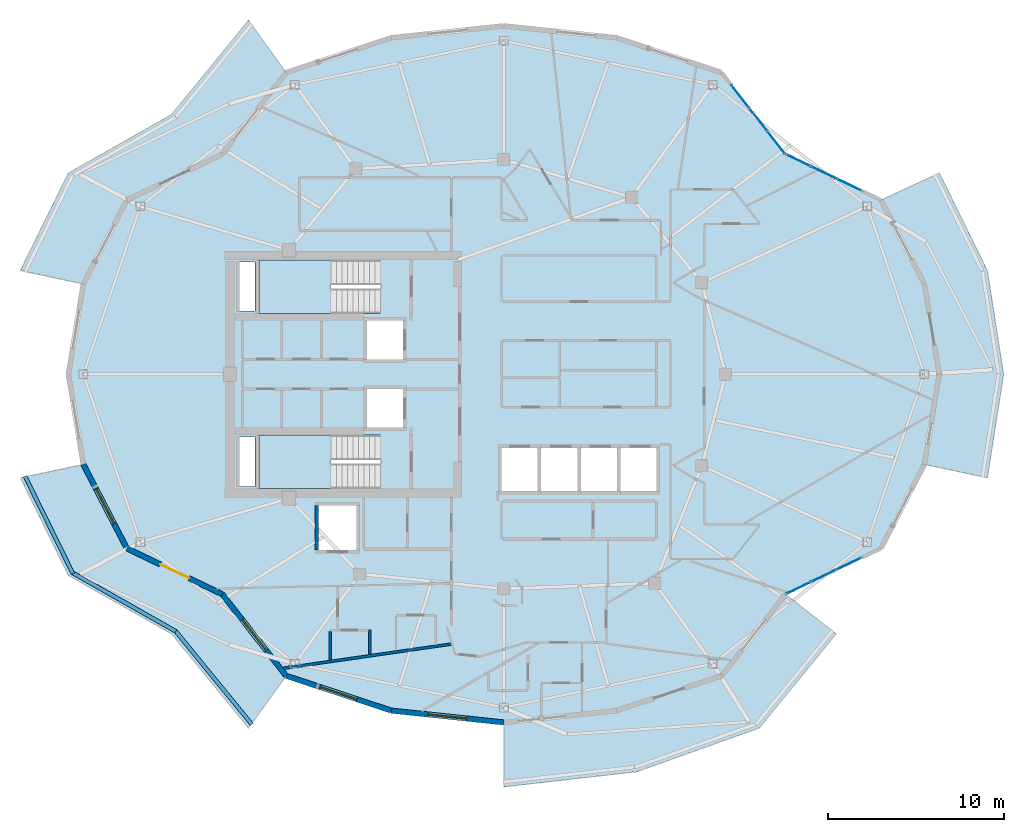
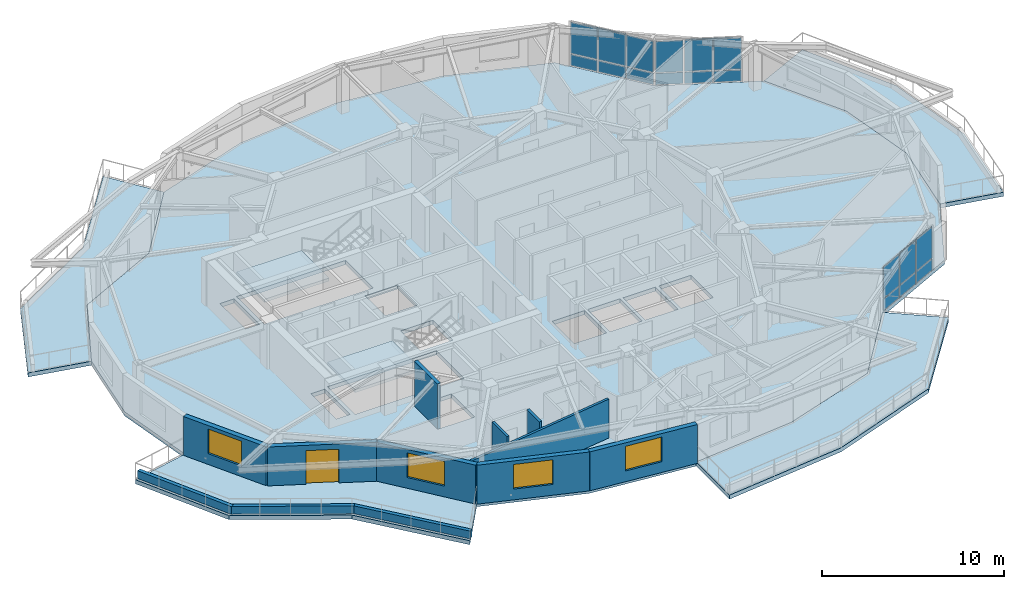
# One storey, part 5 of 14: 21 plates, 12 walls, 7 slabs, 4 windows, 1 door, 5 openings, 5 elements without a shape of their own.
"""IFC4 building model written with IfcOpenShell, lengths in metres."""

from ifc_helpers import new_model, si_unit, direction, frame, frame_2d, origin, origin_2d, place, context, subcontext, project, spatial, polyline, rectangle, outline, extrude, material, layer, layer_set, type_object, element, fill, aggregate, save


model = new_model("IFC4")

# Units and contexts
model_context = context("Model", 3, precision=1e-05, world=origin(), true_north=direction((0.0, 1.0)))
body_context = subcontext(model_context, "Body", "Model", "MODEL_VIEW")
ifc_project = project(units=[si_unit("LENGTHUNIT", "METRE"), si_unit("AREAUNIT", "SQUARE_METRE"), si_unit("VOLUMEUNIT", "CUBIC_METRE"), si_unit("PLANEANGLEUNIT", "RADIAN"), si_unit("MASSUNIT", "GRAM", prefix="KILO")], contexts=[model_context])

# Site, building, storey
site_placement = place(None, origin())
site = spatial("IfcSite", under=ifc_project, at=site_placement, CompositionType="ELEMENT")
building_placement = place(site_placement, origin())
building = spatial("IfcBuilding", under=site, at=building_placement, Name="Kolvaren Gate Tower and Convention Centre", CompositionType="ELEMENT")
storey_placement = place(building_placement, frame((0.0, 0.0, 232.699951171875)))
storey = spatial("IfcBuildingStorey", under=building, at=storey_placement, Name="L62", CompositionType="ELEMENT", Elevation=232.699951171875)

# Plates
ifc_material_1 = material(Name="Perforated Anodized Bronze Aluminium Sheet 6 mm", Category="aluminium")
ifc_layer_1 = layer(ifc_material_1, 0.011962890625)
ifc_layer_set_1 = layer_set([ifc_layer_1], Name="Perforated Anodized Bronze Aluminium Sheet 6 mm")
plate_type_1 = type_object("IfcPlateType", Name="ARCH-PL-SCREEN-PERF", PredefinedType="SHEET", material=ifc_layer_set_1)
for number, where, z_axis, x_axis, name in (
    (1, (48.845703125, 38.20361328125, 2.18994140625), (0.0, 0.0, 1.0), (0.90135914581, -0.433072384555, 0.0), "Tower L62 Perforated Bronze Solar Screen SS-02"),
    (2, (44.316162109375, 41.827392578125, 2.18994140625), (0.0, 0.0, 1.0), (0.616434119112, -0.787406487651, 0.0), "Tower L62 Perforated Bronze Solar Screen SS-03"),
    (3, (48.845703125, 15.79638671875, 2.18994140625), (0.0, 0.0, 1.0), (0.90135914581, 0.433072384555, 0.0), "Tower L62 Perforated Bronze Solar Screen SS-21"),
):
    element("IfcPlate", number, at=place(storey_placement, frame(where, z_axis=z_axis, x_axis=x_axis)), inside=storey, type_object=plate_type_1, Name=name, PredefinedType="SHEET", context=body_context, shape_type="SweptSolid", body=[
        extrude(rectangle(XDim=2.60009765625, YDim=0.011962890625, at=origin_2d()), origin(), (0.0, 0.0, 1.0), 0.840087890625),
    ])

# Curtain wall, plates
ifc_material_2 = material(Name="Anodized Architectural Aluminium Alloy 6063-T6", Category="aluminium")
ifc_layer_2 = layer(ifc_material_2, 0.159912109375)
ifc_layer_set_2 = layer_set([ifc_layer_2], Name="Anodized Architectural Aluminium Alloy 6063-T6")
curtain_wall_type = type_object("IfcCurtainWallType", Name="CW-RES-UNIT", PredefinedType="NOTDEFINED", material=ifc_layer_set_2)
curtain_wall_1_placement = place(storey_placement, origin())
curtain_wall_1 = element("IfcCurtainWall", 4, at=curtain_wall_1_placement, inside=storey, type_object=curtain_wall_type, Name="Tower L62 Unitised Curtain Wall CW-RES-UNIT Bay 02", PredefinedType="NOTDEFINED")
ifc_material_3 = material(Name="Low-E Triple Insulated Glazing Unit 44 mm", Category="glass")
ifc_layer_3 = layer(ifc_material_3, 0.0439453125)
ifc_layer_set_3 = layer_set([ifc_layer_3], Name="Low-E Triple Insulated Glazing Unit 44 mm")
plate_type_2 = type_object("IfcPlateType", Name="CW-PL-IGU-44", PredefinedType="CURTAIN_PANEL", material=ifc_layer_set_3)
plate_1_placement = place(storey_placement, frame((46.8740234375, 39.15087890625, 0.882568359375), z_axis=(0.0, 0.0, 1.0), x_axis=(0.90136304725, -0.433064264345, 0.0)))
plate_1 = element("IfcPlate", 5, at=plate_1_placement, type_object=plate_type_2, Name="CW-04 panel 1.2", PredefinedType="CURTAIN_PANEL", context=body_context, shape_type="SweptSolid", body=[
    extrude(rectangle(XDim=1.515380859375, YDim=0.0439453125, at=origin_2d()), origin(), (0.0, 0.0, 1.0), 2.08251953125),
])
plate_2_placement = place(storey_placement, frame((48.313232421875, 38.45947265625, 0.882568359375), z_axis=(0.0, 0.0, 1.0), x_axis=(0.90136304725, -0.433064264345, 0.0)))
plate_2 = element("IfcPlate", 6, at=plate_2_placement, type_object=plate_type_2, Name="CW-04 panel 2.2", PredefinedType="CURTAIN_PANEL", context=body_context, shape_type="SweptSolid", body=[
    extrude(rectangle(XDim=1.548095703125, YDim=0.0439453125, at=origin_2d()), origin(), (0.0, 0.0, 1.0), 2.08251953125),
])
plate_3_placement = place(storey_placement, frame((49.752685546875, 37.76806640625, 0.882568359375), z_axis=(0.0, 0.0, 1.0), x_axis=(0.90136304725, -0.433064264345, 0.0)))
plate_3 = element("IfcPlate", 7, at=plate_3_placement, type_object=plate_type_2, Name="CW-04 panel 3.2", PredefinedType="CURTAIN_PANEL", context=body_context, shape_type="SweptSolid", body=[
    extrude(rectangle(XDim=1.515380859375, YDim=0.0439453125, at=origin_2d()), origin(), (0.0, 0.0, 1.0), 2.08251953125),
])

curtain_wall_2_placement = place(storey_placement, origin())
curtain_wall_2 = element("IfcCurtainWall", 8, at=curtain_wall_2_placement, inside=storey, type_object=curtain_wall_type, Name="Tower L62 Unitised Curtain Wall CW-RES-UNIT Bay 03", PredefinedType="NOTDEFINED")
plate_4_placement = place(storey_placement, frame((43.5654296875, 42.786376953125, 0.882568359375), z_axis=(0.0, 0.0, 1.0), x_axis=(0.616436709784, -0.787404459493, 0.0)))
plate_4 = element("IfcPlate", 9, at=plate_4_placement, type_object=plate_type_2, Name="CW-04 panel 1.2", PredefinedType="CURTAIN_PANEL", context=body_context, shape_type="SweptSolid", body=[
    extrude(rectangle(XDim=1.57470703125, YDim=0.0439453125, at=origin_2d()), origin(), (0.0, 0.0, 1.0), 2.08251953125),
])
plate_5_placement = place(storey_placement, frame((44.586181640625, 41.482421875, 0.882568359375), z_axis=(0.0, 0.0, 1.0), x_axis=(0.616436709784, -0.787404459493, 0.0)))
plate_5 = element("IfcPlate", 10, at=plate_5_placement, type_object=plate_type_2, Name="CW-04 panel 2.2", PredefinedType="CURTAIN_PANEL", context=body_context, shape_type="SweptSolid", body=[
    extrude(rectangle(XDim=1.607177734375, YDim=0.0439453125, at=origin_2d()), origin(), (0.0, 0.0, 1.0), 2.08251953125),
])
plate_6_placement = place(storey_placement, frame((45.607177734375, 40.178466796875, 0.882568359375), z_axis=(0.0, 0.0, 1.0), x_axis=(0.616436709784, -0.787404459493, 0.0)))
plate_6 = element("IfcPlate", 11, at=plate_6_placement, type_object=plate_type_2, Name="CW-04 panel 3.2", PredefinedType="CURTAIN_PANEL", context=body_context, shape_type="SweptSolid", body=[
    extrude(rectangle(XDim=1.57470703125, YDim=0.0439453125, at=origin_2d()), origin(), (0.0, 0.0, 1.0), 2.08251953125),
])

curtain_wall_3_placement = place(storey_placement, origin())
curtain_wall_3 = element("IfcCurtainWall", 12, at=curtain_wall_3_placement, inside=storey, type_object=curtain_wall_type, Name="Tower L62 Unitised Curtain Wall CW-RES-UNIT Bay 21", PredefinedType="NOTDEFINED")
plate_7_placement = place(storey_placement, frame((46.8740234375, 14.84912109375, 0.882568359375), z_axis=(0.0, 0.0, 1.0), x_axis=(0.90136304725, 0.433064264345, 0.0)))
plate_7 = element("IfcPlate", 13, at=plate_7_placement, type_object=plate_type_2, Name="CW-04 panel 1.2", PredefinedType="CURTAIN_PANEL", context=body_context, shape_type="SweptSolid", body=[
    extrude(rectangle(XDim=1.515380859375, YDim=0.0439453125, at=origin_2d()), origin(), (0.0, 0.0, 1.0), 2.08251953125),
])
plate_8_placement = place(storey_placement, frame((48.313232421875, 15.54052734375, 0.882568359375), z_axis=(0.0, 0.0, 1.0), x_axis=(0.90136304725, 0.433064264345, 0.0)))
plate_8 = element("IfcPlate", 14, at=plate_8_placement, type_object=plate_type_2, Name="CW-04 panel 2.2", PredefinedType="CURTAIN_PANEL", context=body_context, shape_type="SweptSolid", body=[
    extrude(rectangle(XDim=1.548095703125, YDim=0.0439453125, at=origin_2d()), origin(), (0.0, 0.0, 1.0), 2.08251953125),
])
plate_9_placement = place(storey_placement, frame((49.752685546875, 16.23193359375, 0.882568359375), z_axis=(0.0, 0.0, 1.0), x_axis=(0.90136304725, 0.433064264345, 0.0)))
plate_9 = element("IfcPlate", 15, at=plate_9_placement, type_object=plate_type_2, Name="CW-04 panel 3.2", PredefinedType="CURTAIN_PANEL", context=body_context, shape_type="SweptSolid", body=[
    extrude(rectangle(XDim=1.515380859375, YDim=0.0439453125, at=origin_2d()), origin(), (0.0, 0.0, 1.0), 2.08251953125),
])

# Plate
ifc_material_4 = material(Name="Solar-Control Laminated Curtain Glazing 36 mm", Category="glass")
ifc_layer_4 = layer(ifc_material_4, 0.035888671875)
ifc_layer_set_4 = layer_set([ifc_layer_4], Name="Solar-Control Laminated Curtain Glazing 36 mm")
plate_type_3 = type_object("IfcPlateType", Name="CW-PL-SPAN-36", PredefinedType="CURTAIN_PANEL", material=ifc_layer_set_4)
plate_10_placement = place(storey_placement, frame((46.8740234375, 39.15087890625, 0.065185546875), z_axis=(0.0, 0.0, 1.0), x_axis=(0.90136304725, -0.433064264345, 0.0)))
plate_10 = element("IfcPlate", 16, at=plate_10_placement, type_object=plate_type_3, Name="CW-04 panel 1.1", PredefinedType="CURTAIN_PANEL", context=body_context, shape_type="SweptSolid", body=[
    extrude(rectangle(XDim=1.515380859375, YDim=0.035888671875, at=origin_2d()), origin(), (0.0, 0.0, 1.0), 0.75244140625),
])

plate_11_placement = place(storey_placement, frame((48.313232421875, 38.45947265625, 0.065185546875), z_axis=(0.0, 0.0, 1.0), x_axis=(0.90136304725, -0.433064264345, 0.0)))
plate_11 = element("IfcPlate", 17, at=plate_11_placement, type_object=plate_type_3, Name="CW-04 panel 2.1", PredefinedType="CURTAIN_PANEL", context=body_context, shape_type="SweptSolid", body=[
    extrude(rectangle(XDim=1.548095703125, YDim=0.035888671875, at=origin_2d()), origin(), (0.0, 0.0, 1.0), 0.75244140625),
])

plate_12_placement = place(storey_placement, frame((49.752685546875, 37.76806640625, 0.065185546875), z_axis=(0.0, 0.0, 1.0), x_axis=(0.90136304725, -0.433064264345, 0.0)))
plate_12 = element("IfcPlate", 18, at=plate_12_placement, type_object=plate_type_3, Name="CW-04 panel 3.1", PredefinedType="CURTAIN_PANEL", context=body_context, shape_type="SweptSolid", body=[
    extrude(rectangle(XDim=1.515380859375, YDim=0.035888671875, at=origin_2d()), origin(), (0.0, 0.0, 1.0), 0.75244140625),
])

aggregate(curtain_wall_1, [plate_10, plate_1, plate_11, plate_2, plate_12, plate_3])

plate_13_placement = place(storey_placement, frame((43.5654296875, 42.786376953125, 0.065185546875), z_axis=(0.0, 0.0, 1.0), x_axis=(0.616436709784, -0.787404459493, 0.0)))
plate_13 = element("IfcPlate", 19, at=plate_13_placement, type_object=plate_type_3, Name="CW-04 panel 1.1", PredefinedType="CURTAIN_PANEL", context=body_context, shape_type="SweptSolid", body=[
    extrude(rectangle(XDim=1.57470703125, YDim=0.035888671875, at=origin_2d()), origin(), (0.0, 0.0, 1.0), 0.75244140625),
])

plate_14_placement = place(storey_placement, frame((44.586181640625, 41.482421875, 0.065185546875), z_axis=(0.0, 0.0, 1.0), x_axis=(0.616436709784, -0.787404459493, 0.0)))
plate_14 = element("IfcPlate", 20, at=plate_14_placement, type_object=plate_type_3, Name="CW-04 panel 2.1", PredefinedType="CURTAIN_PANEL", context=body_context, shape_type="SweptSolid", body=[
    extrude(rectangle(XDim=1.607177734375, YDim=0.035888671875, at=origin_2d()), origin(), (0.0, 0.0, 1.0), 0.75244140625),
])

plate_15_placement = place(storey_placement, frame((45.607177734375, 40.178466796875, 0.065185546875), z_axis=(0.0, 0.0, 1.0), x_axis=(0.616436709784, -0.787404459493, 0.0)))
plate_15 = element("IfcPlate", 21, at=plate_15_placement, type_object=plate_type_3, Name="CW-04 panel 3.1", PredefinedType="CURTAIN_PANEL", context=body_context, shape_type="SweptSolid", body=[
    extrude(rectangle(XDim=1.57470703125, YDim=0.035888671875, at=origin_2d()), origin(), (0.0, 0.0, 1.0), 0.75244140625),
])

aggregate(curtain_wall_2, [plate_13, plate_4, plate_14, plate_5, plate_15, plate_6])

plate_16_placement = place(storey_placement, frame((46.8740234375, 14.84912109375, 0.065185546875), z_axis=(0.0, 0.0, 1.0), x_axis=(0.90136304725, 0.433064264345, 0.0)))
plate_16 = element("IfcPlate", 22, at=plate_16_placement, type_object=plate_type_3, Name="CW-04 panel 1.1", PredefinedType="CURTAIN_PANEL", context=body_context, shape_type="SweptSolid", body=[
    extrude(rectangle(XDim=1.515380859375, YDim=0.035888671875, at=origin_2d()), origin(), (0.0, 0.0, 1.0), 0.75244140625),
])

plate_17_placement = place(storey_placement, frame((48.313232421875, 15.54052734375, 0.065185546875), z_axis=(0.0, 0.0, 1.0), x_axis=(0.90136304725, 0.433064264345, 0.0)))
plate_17 = element("IfcPlate", 23, at=plate_17_placement, type_object=plate_type_3, Name="CW-04 panel 2.1", PredefinedType="CURTAIN_PANEL", context=body_context, shape_type="SweptSolid", body=[
    extrude(rectangle(XDim=1.548095703125, YDim=0.035888671875, at=origin_2d()), origin(), (0.0, 0.0, 1.0), 0.75244140625),
])

plate_18_placement = place(storey_placement, frame((49.752685546875, 16.23193359375, 0.065185546875), z_axis=(0.0, 0.0, 1.0), x_axis=(0.90136304725, 0.433064264345, 0.0)))
plate_18 = element("IfcPlate", 24, at=plate_18_placement, type_object=plate_type_3, Name="CW-04 panel 3.1", PredefinedType="CURTAIN_PANEL", context=body_context, shape_type="SweptSolid", body=[
    extrude(rectangle(XDim=1.515380859375, YDim=0.035888671875, at=origin_2d()), origin(), (0.0, 0.0, 1.0), 0.75244140625),
])

aggregate(curtain_wall_3, [plate_16, plate_7, plate_17, plate_8, plate_18, plate_9])

# Slabs
ifc_material_5 = material(Name="Concrete C50/60", Category="concrete")
ifc_layer_5 = layer(ifc_material_5, 0.27001953125)
ifc_layer_set_5 = layer_set([ifc_layer_5], Name="Concrete C50/60")
slab_type_1 = type_object("IfcSlabType", Name="STR-SL-BALC-270", PredefinedType="FLOOR", material=ifc_layer_set_5)
slab_1_placement = place(storey_placement, frame((0.0, 0.0, -0.27001953125)))
element("IfcSlab", 25, at=slab_1_placement, inside=storey, type_object=slab_type_1, Name="Tower L62 Planted Balcony Terrace Slab 1 (West)", PredefinedType="FLOOR", context=body_context, shape_type="SweptSolid", body=[
    extrude(outline(polyline([(17.75, 44.147216796875), (14.117431640625, 39.50732421875), (8.69091796875, 36.89990234375), (6.21826171875, 32.12451171875), (2.6396484375, 32.8916015625), (5.3681640625, 38.434814453125), (11.2333984375, 41.7607421875), (15.608154296875, 47.114990234375), (17.75, 44.147216796875)])), origin(), (0.0, 0.0, 1.0), 0.27001953125),
])
slab_2_placement = place(storey_placement, frame((0.0, 0.0, -0.27001953125)))
element("IfcSlab", 26, at=slab_2_placement, inside=storey, type_object=slab_type_1, Name="Tower L62 Planted Balcony Terrace Slab 2 (West)", PredefinedType="FLOOR", context=body_context, shape_type="SweptSolid", body=[
    extrude(outline(polyline([(6.21826171875, 21.87548828125), (8.69091796875, 17.10009765625), (14.117431640625, 14.49267578125), (17.75, 9.852783203125), (15.608154296875, 6.885009765625), (11.2333984375, 12.2392578125), (5.3681640625, 15.565185546875), (2.6396484375, 21.1083984375), (6.21826171875, 21.87548828125)])), origin(), (0.0, 0.0, 1.0), 0.27001953125),
])
slab_3_placement = place(storey_placement, frame((0.0, 0.0, -0.27001953125)))
element("IfcSlab", 27, at=slab_3_placement, inside=storey, type_object=slab_type_1, Name="Tower L62 Planted Balcony Terrace Slab 3 (South)", PredefinedType="FLOOR", context=body_context, shape_type="SweptSolid", body=[
    extrude(outline(polyline([(30.125, 7.199951171875), (36.53076171875, 7.874755859375), (42.5, 9.852783203125), (46.132568359375, 14.49267578125), (49.0166015625, 12.2392578125), (44.641845703125, 6.885009765625), (37.693115234375, 4.404296875), (30.125, 3.5400390625), (30.125, 7.199951171875)])), origin(), (0.0, 0.0, 1.0), 0.27001953125),
])
slab_4_placement = place(storey_placement, frame((0.0, 0.0, -0.27001953125)))
element("IfcSlab", 28, at=slab_4_placement, inside=storey, type_object=slab_type_1, Name="Tower L62 Planted Balcony Terrace Slab 4 (East)", PredefinedType="FLOOR", context=body_context, shape_type="SweptSolid", body=[
    extrude(outline(polyline([(54.03173828125, 21.87548828125), (54.875, 27.0), (54.03173828125, 32.12451171875), (51.55908203125, 36.89990234375), (54.8818359375, 38.434814453125), (57.6103515625, 32.8916015625), (58.534912109375, 27.0), (57.6103515625, 21.1083984375), (54.03173828125, 21.87548828125)])), origin(), (0.0, 0.0, 1.0), 0.27001953125),
])
ifc_material_6 = material(Name="Concrete C40/50", Category="concrete")
ifc_layer_6 = layer(ifc_material_6, 0.27001953125)
ifc_layer_set_6 = layer_set([ifc_layer_6], Name="Concrete C40/50")
slab_type_2 = type_object("IfcSlabType", Name="STR-SL-FLR-270", PredefinedType="FLOOR", material=ifc_layer_set_6)
slab_5_placement = place(storey_placement, frame((0.0, 0.0, -0.27001953125)))
element("IfcSlab", 29, at=slab_5_placement, inside=storey, type_object=slab_type_2, Name="Tower L62 Structural Floor Slab", PredefinedType="FLOOR", context=body_context, shape_type="SweptSolid", body=[
    extrude(outline(polyline([(54.875, 27.0), (54.03173828125, 32.12451171875), (51.55908203125, 36.89990234375), (46.132568359375, 39.50732421875), (42.5, 44.147216796875), (36.53076171875, 46.125244140625), (30.125, 46.800048828125), (23.71923828125, 46.125244140625), (17.75, 44.147216796875), (14.117431640625, 39.50732421875), (8.69091796875, 36.89990234375), (6.21826171875, 32.12451171875), (5.375, 27.0), (6.21826171875, 21.87548828125), (8.69091796875, 17.10009765625), (14.117431640625, 14.49267578125), (17.75, 9.852783203125), (23.71923828125, 7.874755859375), (30.125, 7.199951171875), (36.53076171875, 7.874755859375), (42.5, 9.852783203125), (46.132568359375, 14.49267578125), (51.55908203125, 17.10009765625), (54.03173828125, 21.87548828125), (54.875, 27.0)]), holes=[polyline([(36.75, 20.35009765625), (36.75, 22.800048828125), (38.800048828125, 22.800048828125), (38.800048828125, 20.35009765625), (36.75, 20.35009765625)]), polyline([(36.550048828125, 20.35009765625), (34.5, 20.35009765625), (34.5, 22.800048828125), (36.550048828125, 22.800048828125), (36.550048828125, 20.35009765625)]), polyline([(32.25, 20.35009765625), (32.25, 22.800048828125), (34.300048828125, 22.800048828125), (34.300048828125, 20.35009765625), (32.25, 20.35009765625)]), polyline([(30.0, 20.35009765625), (30.0, 22.800048828125), (32.050048828125, 22.800048828125), (32.050048828125, 20.35009765625), (30.0, 20.35009765625)]), polyline([(22.35009765625, 23.9599609375), (22.35009765625, 26.159912109375), (24.39990234375, 26.159912109375), (24.39990234375, 23.9599609375), (22.35009765625, 23.9599609375)]), polyline([(22.35009765625, 27.840087890625), (22.35009765625, 30.0400390625), (24.39990234375, 30.0400390625), (24.39990234375, 27.840087890625), (22.35009765625, 27.840087890625)]), polyline([(16.199951171875, 23.5400390625), (23.10009765625, 23.5400390625), (23.10009765625, 20.5), (16.199951171875, 20.5), (16.199951171875, 23.5400390625)]), polyline([(16.199951171875, 33.5), (23.10009765625, 33.5), (23.10009765625, 30.4599609375), (16.199951171875, 30.4599609375), (16.199951171875, 33.5)]), polyline([(21.75, 17.0), (19.60009765625, 17.0), (19.60009765625, 19.550048828125), (21.75, 19.550048828125), (21.75, 17.0)]), polyline([(15.080078125, 30.580078125), (15.080078125, 33.3701171875), (15.969970703125, 33.3701171875), (15.969970703125, 30.580078125), (15.080078125, 30.580078125)]), polyline([(15.969970703125, 20.6298828125), (15.080078125, 20.6298828125), (15.080078125, 23.419921875), (15.969970703125, 23.419921875), (15.969970703125, 20.6298828125)])]), origin(), (0.0, 0.0, 1.0), 0.27001953125),
])

# Stair, slab
stair_type = type_object("IfcStairType", Name="STR-STAIR-CORE", PredefinedType="HALF_TURN_STAIR", material=ifc_material_5)
stair_1_placement = place(storey_placement, origin())
stair_1 = element("IfcStair", 30, at=stair_1_placement, inside=storey, type_object=stair_type, Name="L62 Tower North Exit Stair ST-T1", PredefinedType="HALF_TURN_STAIR")
ifc_layer_7 = layer(ifc_material_5, 0.199951171875)
ifc_layer_set_7 = layer_set([ifc_layer_7], Name="Concrete C50/60")
slab_type_3 = type_object("IfcSlabType", Name="STR-SL-LAND-200", PredefinedType="LANDING", material=ifc_layer_set_7)
slab_6_placement = place(storey_placement, frame((0.0, 0.0, 1.449951171875)))
slab_6 = element("IfcSlab", 31, at=slab_6_placement, type_object=slab_type_3, Name="ST-T1 landing 1", PredefinedType="LANDING", context=body_context, shape_type="SweptSolid", body=[
    extrude(outline(polyline([(20.31005859375, 33.5), (16.199951171875, 33.5), (16.199951171875, 30.4599609375), (20.31005859375, 30.4599609375), (20.31005859375, 33.5)])), origin(), (0.0, 0.0, 1.0), 0.2001953125),
])
aggregate(stair_1, [slab_6])

stair_2_placement = place(storey_placement, origin())
stair_2 = element("IfcStair", 32, at=stair_2_placement, inside=storey, type_object=stair_type, Name="L62 Tower South Exit Stair ST-T2", PredefinedType="HALF_TURN_STAIR")
slab_7_placement = place(storey_placement, frame((0.0, 0.0, 1.449951171875)))
slab_7 = element("IfcSlab", 33, at=slab_7_placement, type_object=slab_type_3, Name="ST-T2 landing 1", PredefinedType="LANDING", context=body_context, shape_type="SweptSolid", body=[
    extrude(outline(polyline([(20.31005859375, 23.5400390625), (16.199951171875, 23.5400390625), (16.199951171875, 20.5), (20.31005859375, 20.5), (20.31005859375, 23.5400390625)])), origin(), (0.0, 0.0, 1.0), 0.2001953125),
])
aggregate(stair_2, [slab_7])

# Walls
ifc_material_7 = material(Name="Piedmont Cream Honed Limestone Cladding", Category="masonry")
ifc_layer_8 = layer(ifc_material_7, 0.219970703125)
ifc_layer_set_8 = layer_set([ifc_layer_8], Name="Piedmont Cream Honed Limestone Cladding")
wall_type_1 = type_object("IfcWallType", Name="ARCH-WL-PLANTER-220", PredefinedType="PARAPET", material=ifc_layer_set_8)
wall_1_placement = place(storey_placement, frame((2.905517578125, 21.1962890625, 0.0), z_axis=(0.0, 0.0, 1.0), x_axis=(0.441640961804, -0.897191875162, 0.0)))
element("IfcWall", 34, at=wall_1_placement, inside=storey, type_object=wall_type_1, Name="Vertical-Forest Balcony Stone Planter Kerb PK-L62-2.1", PredefinedType="PARAPET", context=body_context, shape_type="SweptSolid", body=[
    extrude(rectangle(XDim=6.17822265625, YDim=0.219970703125, at=frame_2d((3.089111328125, 0.0))), origin(), (0.0, 0.0, 1.0), 0.52001953125),
])
wall_2_placement = place(storey_placement, frame((5.6083984375, 15.70947265625, 0.0), z_axis=(0.0, 0.0, 1.0), x_axis=(0.869860619267, -0.493297580623, 0.0)))
element("IfcWall", 35, at=wall_2_placement, inside=storey, type_object=wall_type_1, Name="Vertical-Forest Balcony Stone Planter Kerb PK-L62-2.2", PredefinedType="PARAPET", context=body_context, shape_type="SweptSolid", body=[
    extrude(rectangle(XDim=6.74267578125, YDim=0.219970703125, at=frame_2d((3.371337890625, 0.0))), origin(), (0.0, 0.0, 1.0), 0.52001953125),
])
wall_3_placement = place(storey_placement, frame((11.42724609375, 12.44140625, 0.0), z_axis=(0.0, 0.0, 1.0), x_axis=(0.632697312147, -0.774399193699, 0.0)))
element("IfcWall", 36, at=wall_3_placement, inside=storey, type_object=wall_type_1, Name="Vertical-Forest Balcony Stone Planter Kerb PK-L62-2.3", PredefinedType="PARAPET", context=body_context, shape_type="SweptSolid", body=[
    extrude(rectangle(XDim=6.9140625, YDim=0.219970703125, at=frame_2d((3.45703125, 0.0))), origin(), (0.0, 0.0, 1.0), 0.52001953125),
])
ifc_material_8 = material(Name="Autoclaved Aerated Masonry Blockwork Class 4 (4.0 MPa)", Category="masonry")
ifc_layer_9 = layer(ifc_material_8, 0.199951171875)
ifc_layer_set_9 = layer_set([ifc_layer_9], Name="Autoclaved Aerated Masonry Blockwork Class 4 (4.0 MPa)")
wall_type_2 = type_object("IfcWallType", Name="ARCH-WL-SHAFT-200", PredefinedType="SOLIDWALL", material=ifc_layer_set_9)
wall_4_placement = place(storey_placement, frame((19.5, 17.010009765625, 0.0), z_axis=(0.0, 0.0, 1.0), x_axis=(0.0, 1.0, 0.0)))
element("IfcWall", 37, at=wall_4_placement, inside=storey, type_object=wall_type_2, Name="Elevator SV-01 L62 Fire Shaft Wall W", PredefinedType="SOLIDWALL", context=body_context, shape_type="SweptSolid", body=[
    extrude(rectangle(XDim=2.530029296875, YDim=0.199951171875, at=frame_2d((1.26513671875, 0.0))), origin(), (0.0, 0.0, 1.0), 3.030029296875),
])

# Wall, opening, window
ifc_layer_10 = layer(ifc_material_7, 0.300048828125)
ifc_layer_set_10 = layer_set([ifc_layer_10], Name="Piedmont Cream Honed Limestone Cladding")
wall_type_3 = type_object("IfcWallType", Name="ARCH-WL-STONE-300", PredefinedType="SOLIDWALL", material=ifc_layer_set_10)
wall_5_placement = place(storey_placement, frame((6.21826171875, 21.87548828125, 0.0), z_axis=(0.0, 0.0, 1.0), x_axis=(0.459808219482, -0.888018243786, 0.0)))
wall_5 = element("IfcWall", 38, at=wall_5_placement, inside=storey, type_object=wall_type_3, Name="Tower L62 Honed Stone Spandrel Wall EW-13", PredefinedType="SOLIDWALL", context=body_context, shape_type="SweptSolid", body=[
    extrude(rectangle(XDim=5.377685546875, YDim=0.300048828125, at=frame_2d((2.68896484375, 0.0))), origin(), (0.0, 0.0, 1.0), 2.60498046875),
])
opening_1_placement = place(wall_5_placement, frame((1.589111328125, 0.0, 0.719970703125)))
opening_1 = element("IfcOpeningElement", 39, at=opening_1_placement, cuts=wall_5, Name="Opening W-03", PredefinedType="OPENING", context=body_context, shape_type="SweptSolid", body=[
    extrude(rectangle(XDim=2.199951171875, YDim=1.64990234375, at=frame_2d((1.10009765625, 0.824951171875))), frame((0.0, 0.159912109375, 0.0), z_axis=(0.0, -1.0, 0.0), x_axis=(1.0, 0.0, 0.0)), (0.0, 0.0, 1.0), 0.320068359375),
])
window_type = type_object("IfcWindowType", Name="ARCH-WN-RES-2200", PartitioningType="SINGLE_PANEL", PredefinedType="WINDOW", material=ifc_material_3)
window_1_placement = place(opening_1_placement, origin())
window_1 = element("IfcWindow", 40, at=window_1_placement, inside=storey, type_object=window_type, Name="Tower L62 Punched Stone Facade Window W-13", OverallHeight=1.64990234375, OverallWidth=2.199951171875, PartitioningType="SINGLE_PANEL", PredefinedType="WINDOW", context=body_context, shape_type="SweptSolid", body=[
    extrude(rectangle(XDim=2.199951171875, YDim=1.64990234375, at=frame_2d((1.10009765625, 0.824951171875))), frame((0.0, 0.030029296875, 0.0), z_axis=(0.0, -1.0, 0.0), x_axis=(1.0, 0.0, 0.0)), (0.0, 0.0, 1.0), 0.06005859375),
])
fill(opening_1, window_1)

# Wall, opening, door
wall_6_placement = place(storey_placement, frame((8.69091796875, 17.10009765625, 0.0), z_axis=(0.0, 0.0, 1.0), x_axis=(0.901348331142, -0.433094892545, 0.0)))
wall_6 = element("IfcWall", 41, at=wall_6_placement, inside=storey, type_object=wall_type_3, Name="Tower L62 Honed Stone Spandrel Wall EW-14", PredefinedType="SOLIDWALL", context=body_context, shape_type="SweptSolid", body=[
    extrude(rectangle(XDim=6.0205078125, YDim=0.300048828125, at=frame_2d((3.01025390625, 0.0))), origin(), (0.0, 0.0, 1.0), 2.60498046875),
])
opening_2_placement = place(wall_6_placement, frame((2.110107421875, 0.0, 0.0)))
opening_2 = element("IfcOpeningElement", 42, at=opening_2_placement, cuts=wall_6, Name="Opening DB-01", PredefinedType="OPENING", context=body_context, shape_type="SweptSolid", body=[
    extrude(rectangle(XDim=1.800048828125, YDim=2.25, at=frame_2d((0.89990234375, 1.125))), frame((0.0, 0.159912109375, 0.0), z_axis=(0.0, -1.0, 0.0), x_axis=(1.0, 0.0, 0.0)), (0.0, 0.0, 1.0), 0.320068359375),
])
door_type = type_object("IfcDoorType", Name="ARCH-DR-BALC-1800", OperationType="SLIDING_TO_LEFT", PredefinedType="DOOR", material=ifc_material_2)
door_placement = place(opening_2_placement, frame((1.800048828125, 0.0, 0.0), z_axis=(0.0, 0.0, 1.0), x_axis=(-1.0, 0.0, 0.0)))
door = element("IfcDoor", 43, at=door_placement, inside=storey, type_object=door_type, Name="Planted Sky Terrace Access Door DB-L62-14", OperationType="SLIDING_TO_LEFT", OverallHeight=2.25, OverallWidth=1.800048828125, PredefinedType="DOOR", context=body_context, shape_type="SweptSolid", body=[
    extrude(rectangle(XDim=1.800048828125, YDim=2.25, at=frame_2d((0.89990234375, 1.125))), frame((0.0, 0.02490234375, 0.0), z_axis=(0.0, -1.0, 0.0), x_axis=(1.0, 0.0, 0.0)), (0.0, 0.0, 1.0), 0.050048828125),
])
fill(opening_2, door)

# Wall, opening, window
wall_7_placement = place(storey_placement, frame((14.117431640625, 14.49267578125, 0.0), z_axis=(0.0, 0.0, 1.0), x_axis=(0.616450126935, -0.787393955401, 0.0)))
wall_7 = element("IfcWall", 44, at=wall_7_placement, inside=storey, type_object=wall_type_3, Name="Tower L62 Honed Stone Spandrel Wall EW-15", PredefinedType="SOLIDWALL", context=body_context, shape_type="SweptSolid", body=[
    extrude(rectangle(XDim=5.892822265625, YDim=0.300048828125, at=frame_2d((2.9462890625, 0.0))), origin(), (0.0, 0.0, 1.0), 2.60498046875),
])
opening_3_placement = place(wall_7_placement, frame((1.845947265625, 0.0, 0.719970703125)))
opening_3 = element("IfcOpeningElement", 45, at=opening_3_placement, cuts=wall_7, Name="Opening W-03", PredefinedType="OPENING", context=body_context, shape_type="SweptSolid", body=[
    extrude(rectangle(XDim=2.199951171875, YDim=1.64990234375, at=frame_2d((1.10009765625, 0.824951171875))), frame((0.0, 0.159912109375, 0.0), z_axis=(0.0, -1.0, 0.0), x_axis=(1.0, 0.0, 0.0)), (0.0, 0.0, 1.0), 0.320068359375),
])
window_2_placement = place(opening_3_placement, origin())
window_2 = element("IfcWindow", 46, at=window_2_placement, inside=storey, type_object=window_type, Name="Tower L62 Punched Stone Facade Window W-15", OverallHeight=1.64990234375, OverallWidth=2.199951171875, PartitioningType="SINGLE_PANEL", PredefinedType="WINDOW", context=body_context, shape_type="SweptSolid", body=[
    extrude(rectangle(XDim=2.199951171875, YDim=1.64990234375, at=frame_2d((1.10009765625, 0.824951171875))), frame((0.0, 0.030029296875, 0.0), z_axis=(0.0, -1.0, 0.0), x_axis=(1.0, 0.0, 0.0)), (0.0, 0.0, 1.0), 0.06005859375),
])
fill(opening_3, window_2)

wall_8_placement = place(storey_placement, frame((17.75, 9.852783203125, 0.0), z_axis=(0.0, 0.0, 1.0), x_axis=(0.949240877604, -0.314550085495, 0.0)))
wall_8 = element("IfcWall", 47, at=wall_8_placement, inside=storey, type_object=wall_type_3, Name="Tower L62 Honed Stone Spandrel Wall EW-16", PredefinedType="SOLIDWALL", context=body_context, shape_type="SweptSolid", body=[
    extrude(rectangle(XDim=6.288330078125, YDim=0.300048828125, at=frame_2d((3.14404296875, 0.0))), origin(), (0.0, 0.0, 1.0), 2.60498046875),
])
opening_4_placement = place(wall_8_placement, frame((2.0439453125, 0.0, 0.719970703125)))
opening_4 = element("IfcOpeningElement", 48, at=opening_4_placement, cuts=wall_8, Name="Opening W-03", PredefinedType="OPENING", context=body_context, shape_type="SweptSolid", body=[
    extrude(rectangle(XDim=2.199951171875, YDim=1.64990234375, at=frame_2d((1.10009765625, 0.824951171875))), frame((0.0, 0.159912109375, 0.0), z_axis=(0.0, -1.0, 0.0), x_axis=(1.0, 0.0, 0.0)), (0.0, 0.0, 1.0), 0.320068359375),
])
window_3_placement = place(opening_4_placement, origin())
window_3 = element("IfcWindow", 49, at=window_3_placement, inside=storey, type_object=window_type, Name="Tower L62 Punched Stone Facade Window W-16", OverallHeight=1.64990234375, OverallWidth=2.199951171875, PartitioningType="SINGLE_PANEL", PredefinedType="WINDOW", context=body_context, shape_type="SweptSolid", body=[
    extrude(rectangle(XDim=2.199951171875, YDim=1.64990234375, at=frame_2d((1.10009765625, 0.824951171875))), frame((0.0, 0.030029296875, 0.0), z_axis=(0.0, -1.0, 0.0), x_axis=(1.0, 0.0, 0.0)), (0.0, 0.0, 1.0), 0.06005859375),
])
fill(opening_4, window_3)

wall_9_placement = place(storey_placement, frame((23.71923828125, 7.874755859375, 0.0), z_axis=(0.0, 0.0, 1.0), x_axis=(0.994497142298, -0.104763705363, 0.0)))
wall_9 = element("IfcWall", 50, at=wall_9_placement, inside=storey, type_object=wall_type_3, Name="Tower L62 Honed Stone Spandrel Wall EW-17", PredefinedType="SOLIDWALL", context=body_context, shape_type="SweptSolid", body=[
    extrude(rectangle(XDim=6.441162109375, YDim=0.300048828125, at=frame_2d((3.220703125, 0.0))), origin(), (0.0, 0.0, 1.0), 2.60498046875),
])
opening_5_placement = place(wall_9_placement, frame((2.12109375, 0.0, 0.719970703125)))
opening_5 = element("IfcOpeningElement", 51, at=opening_5_placement, cuts=wall_9, Name="Opening W-03", PredefinedType="OPENING", context=body_context, shape_type="SweptSolid", body=[
    extrude(rectangle(XDim=2.199951171875, YDim=1.64990234375, at=frame_2d((1.10009765625, 0.824951171875))), frame((0.0, 0.159912109375, 0.0), z_axis=(0.0, -1.0, 0.0), x_axis=(1.0, 0.0, 0.0)), (0.0, 0.0, 1.0), 0.320068359375),
])
window_4_placement = place(opening_5_placement, origin())
window_4 = element("IfcWindow", 52, at=window_4_placement, inside=storey, type_object=window_type, Name="Tower L62 Punched Stone Facade Window W-17", OverallHeight=1.64990234375, OverallWidth=2.199951171875, PartitioningType="SINGLE_PANEL", PredefinedType="WINDOW", context=body_context, shape_type="SweptSolid", body=[
    extrude(rectangle(XDim=2.199951171875, YDim=1.64990234375, at=frame_2d((1.10009765625, 0.824951171875))), frame((0.0, 0.030029296875, 0.0), z_axis=(0.0, -1.0, 0.0), x_axis=(1.0, 0.0, 0.0)), (0.0, 0.0, 1.0), 0.06005859375),
])
fill(opening_5, window_4)

# Walls
ifc_material_9 = material(Name="Moisture-Resistant Cement-Board Acoustic Partition", Category="gypsum")
ifc_layer_11 = layer(ifc_material_9, 0.14990234375)
ifc_layer_set_11 = layer_set([ifc_layer_11], Name="Moisture-Resistant Cement-Board Acoustic Partition")
wall_type_4 = type_object("IfcWallType", Name="ARCH-WL-WET-150", PredefinedType="PARTITIONING", material=ifc_layer_set_11)
wall_10_placement = place(storey_placement, frame((17.604248046875, 10.285400390625, 0.0), z_axis=(0.0, 0.0, 1.0), x_axis=(0.989781675617, 0.142591144933, 0.0)))
element("IfcWall", 53, at=wall_10_placement, inside=storey, type_object=wall_type_4, Name="Interior Partition WL-L62-INT-076", PredefinedType="PARTITIONING", context=body_context, shape_type="SweptSolid", body=[
    extrude(rectangle(XDim=9.612060546875, YDim=0.14990234375, at=frame_2d((4.80615234375, 0.0))), origin(), (0.0, 0.0, 1.0), 2.60498046875),
])
wall_11_placement = place(storey_placement, frame((22.5, 11.068603515625, 0.0), z_axis=(0.0, 0.0, 1.0), x_axis=(0.0, 1.0, 0.0)))
element("IfcWall", 54, at=wall_11_placement, inside=storey, type_object=wall_type_4, Name="Interior Partition WL-L62-INT-080", PredefinedType="PARTITIONING", context=body_context, shape_type="SweptSolid", body=[
    extrude(rectangle(XDim=1.38037109375, YDim=0.14990234375, at=frame_2d((0.690185546875, 0.0))), origin(), (0.0, 0.0, 1.0), 3.030029296875),
])
wall_12_placement = place(storey_placement, frame((20.25, 10.744384765625, 0.0), z_axis=(0.0, 0.0, 1.0), x_axis=(0.0, 1.0, 0.0)))
element("IfcWall", 55, at=wall_12_placement, inside=storey, type_object=wall_type_4, Name="Interior Partition WL-L62-INT-083", PredefinedType="PARTITIONING", context=body_context, shape_type="SweptSolid", body=[
    extrude(rectangle(XDim=1.627685546875, YDim=0.14990234375, at=frame_2d((0.81396484375, 0.0))), origin(), (0.0, 0.0, 1.0), 3.030029296875),
])

save(model, "model.ifc")
